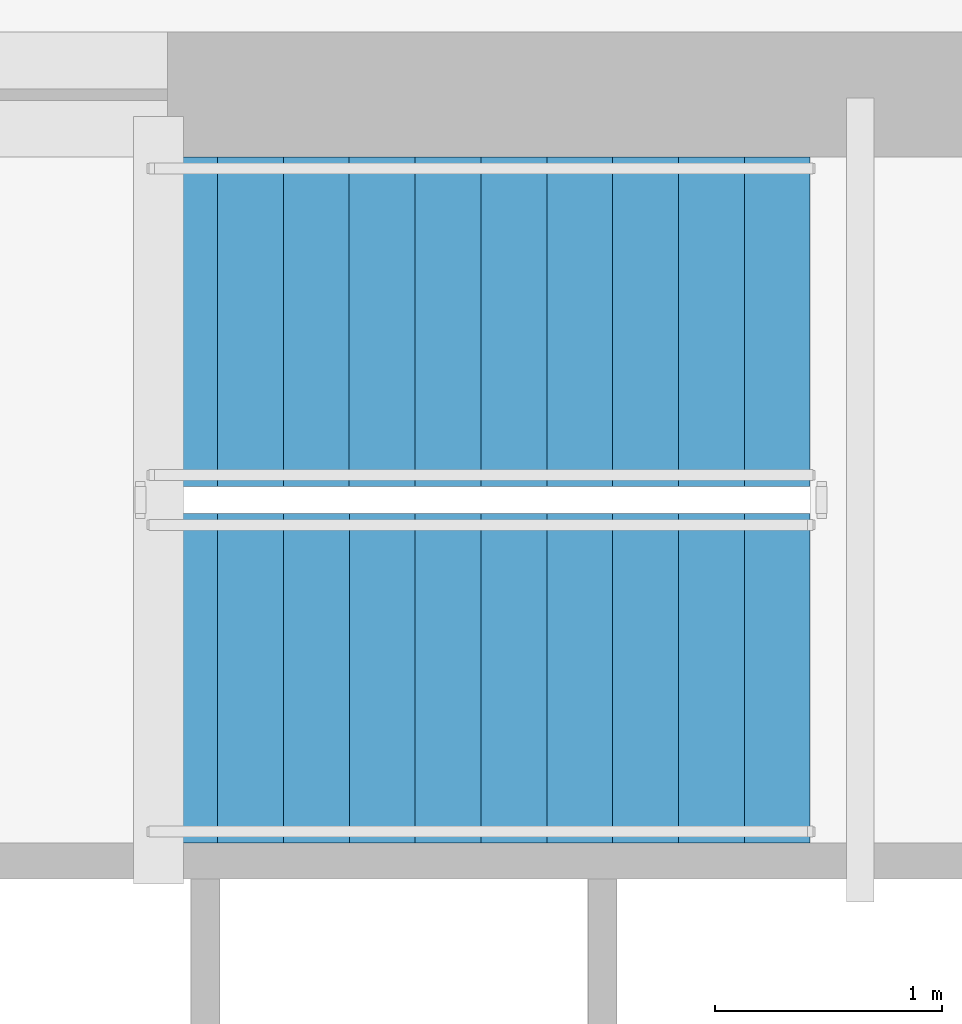
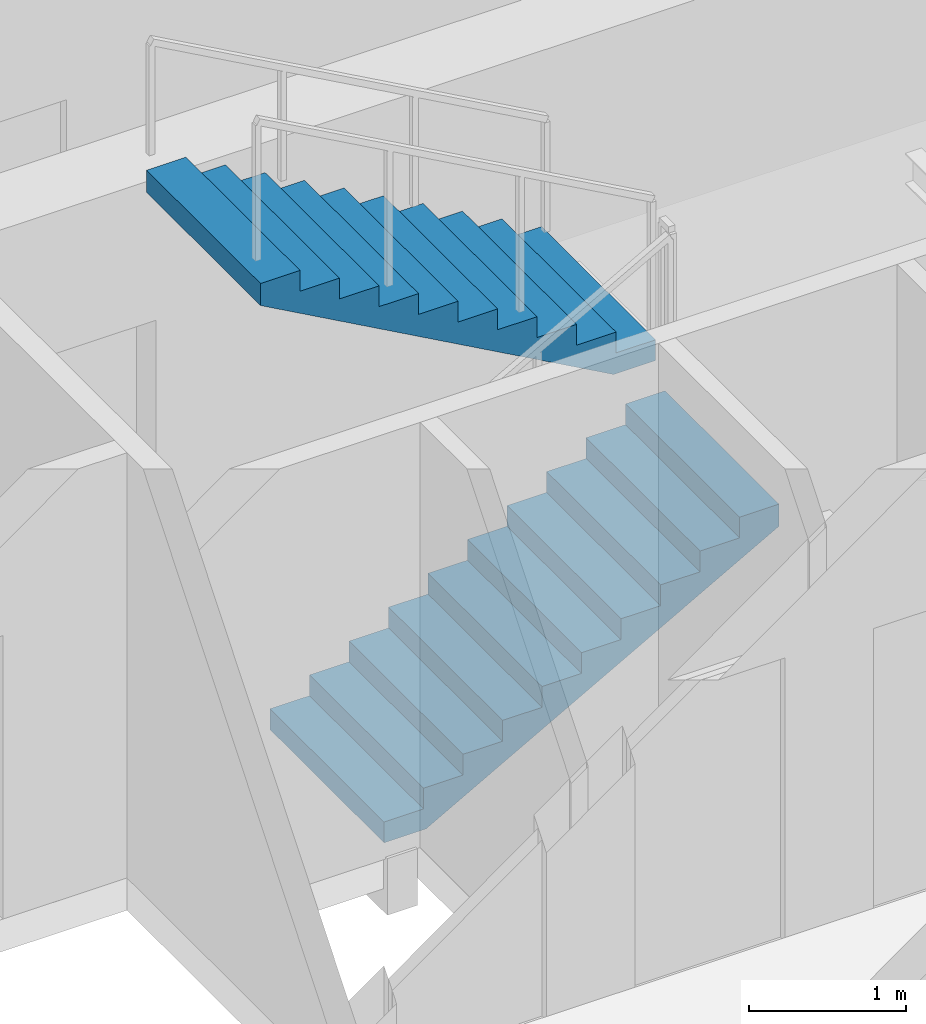
# One storey, part 11 of 15: 2 stair flights, 1 element without a shape of its own.
"""IFC4 building model written with IfcOpenShell, lengths in metres."""

import ifcopenshell
import ifcopenshell.guid

model = None  # the IFC model being written
_history = None  # IfcOwnerHistory: only IFC2X3 demands one
_inside = {}  # id of a spatial element -> (the spatial element, [elements in it])
_under = {}  # id of a project, library or spatial element -> (it, [spatial elements below it])
_declared = {}  # id of a project -> (the project, [libraries it declares])
_typed = {}  # id of a type object -> (the type object, [elements of that type])
_made_of = {}  # id of a material, layer set ... -> (it, [elements and type objects made of it])


def new_model(schema):
    """Start an empty IFC model of exactly this schema.

    Asked for "IFC4X3", IfcOpenShell would pick the latest addendum, in which some entities
    have other attributes; the version numbers below select the first issue.
    IFC2X3 requires an IfcOwnerHistory on every rooted entity: one is made here for all.
    """
    global model, _history
    if schema == "IFC4X3":
        model = ifcopenshell.file(schema_version=(4, 3, 0, 0))
    else:
        model = ifcopenshell.file(schema=schema)
    _inside.clear()
    _under.clear()
    _declared.clear()
    _typed.clear()
    _made_of.clear()
    _history = None
    if model.schema == "IFC2X3":
        org = make("IfcOrganization", Name="unknown")
        user = make(
            "IfcPersonAndOrganization",
            ThePerson=make("IfcPerson", FamilyName="unknown"),
            TheOrganization=org,
        )
        app = make(
            "IfcApplication",
            ApplicationDeveloper=org,
            Version="unknown",
            ApplicationFullName="unknown",
            ApplicationIdentifier="unknown",
        )
        _history = make(
            "IfcOwnerHistory",
            OwningUser=user,
            OwningApplication=app,
            ChangeAction="ADDED",
            CreationDate=0,
        )
    return model


def make(cls, **values):
    """One entity of the class cls with the attributes given. An attribute that is None is left unset."""
    return model.create_entity(
        cls, **{name: value for name, value in values.items() if value is not None}
    )


def rooted(cls, **values):
    """An entity with a GlobalId (a new one), such as an element, a storey or a relation."""
    return make(cls, GlobalId=ifcopenshell.guid.new(), OwnerHistory=_history, **values)


def si_unit(unit_type, name, prefix=None):
    """IfcSIUnit, for example si_unit("LENGTHUNIT", "METRE", prefix="MILLI")."""
    return make("IfcSIUnit", UnitType=unit_type, Prefix=prefix, Name=name)


def assignment(units):
    """IfcUnitAssignment: the units of a project."""
    return None if units is None else make("IfcUnitAssignment", Units=units)


def point(xyz):
    """IfcCartesianPoint."""
    return None if xyz is None else make("IfcCartesianPoint", Coordinates=xyz)


def direction(xyz):
    """IfcDirection."""
    return None if xyz is None else make("IfcDirection", DirectionRatios=xyz)


def frame(location, z_axis=None, x_axis=None):
    """IfcAxis2Placement3D, a coordinate frame: its origin and axes. An axis left out is left unset."""
    return make(
        "IfcAxis2Placement3D",
        Location=point(location),
        Axis=direction(z_axis),
        RefDirection=direction(x_axis),
    )


def origin():
    """The frame at (0, 0, 0) with its axes left unset."""
    return frame((0.0, 0.0, 0.0))


def place(relative_to, where):
    """IfcLocalPlacement: puts the frame where relative to a parent placement (None: the world)."""
    return make(
        "IfcLocalPlacement", PlacementRelTo=relative_to, RelativePlacement=where
    )


def context(
    kind, dimensions, precision=None, world=None, true_north=None, identifier=None
):
    """IfcGeometricRepresentationContext, for example the 3D "Model" context."""
    return make(
        "IfcGeometricRepresentationContext",
        ContextIdentifier=identifier,
        ContextType=kind,
        CoordinateSpaceDimension=dimensions,
        Precision=precision,
        WorldCoordinateSystem=world,
        TrueNorth=true_north,
    )


def subcontext(parent, identifier, kind, view, scale=None):
    """IfcGeometricRepresentationSubContext, for example "Body" below "Model"."""
    return make(
        "IfcGeometricRepresentationSubContext",
        ContextIdentifier=identifier,
        ContextType=kind,
        ParentContext=parent,
        TargetScale=scale,
        TargetView=view,
    )


def project(units=None, contexts=None):
    """IfcProject with its units and contexts."""
    return rooted(
        "IfcProject",
        Name="project",
        RepresentationContexts=contexts,
        UnitsInContext=assignment(units),
    )


def spatial(cls, under=None, at=None, **own):
    """A site, building, storey or space (cls), placed at a placement, below another one or the project."""
    s = rooted(cls, ObjectPlacement=at, **own)
    if under is not None:
        _under.setdefault(under.id(), (under, []))[1].append(s)
    return s


def polyline(points):
    """IfcPolyline through the points."""
    return make("IfcPolyline", Points=[point(p) for p in points])


def outline(outer, holes=None, kind="AREA"):
    """IfcArbitraryClosedProfileDef: a profile drawn as a closed curve; with holes, ...WithVoids."""
    if holes is None:
        return make("IfcArbitraryClosedProfileDef", ProfileType=kind, OuterCurve=outer)
    return make(
        "IfcArbitraryProfileDefWithVoids",
        ProfileType=kind,
        OuterCurve=outer,
        InnerCurves=holes,
    )


def extrude(swept, where, along, depth):
    """IfcExtrudedAreaSolid: the profile swept, set in the frame where, extruded along a direction by depth."""
    return make(
        "IfcExtrudedAreaSolid",
        SweptArea=swept,
        Position=where,
        ExtrudedDirection=direction(along),
        Depth=depth,
    )


def shape(context_of_items, identifier, shape_type, items):
    """IfcShapeRepresentation: the items that make up one representation, for example the "Body"."""
    return make(
        "IfcShapeRepresentation",
        ContextOfItems=context_of_items,
        RepresentationIdentifier=identifier,
        RepresentationType=shape_type,
        Items=items,
    )


def material(Name=None, Category=None):
    """IfcMaterial."""
    return make("IfcMaterial", Name=Name, Category=Category)


def made_of(thing, what):
    """Note that an element or type object is made of a material, layer set ...; save() writes the relation."""
    if what is not None:
        _made_of.setdefault(what.id(), (what, []))[1].append(thing)
    return thing


def type_object(cls, material=None, **own):
    """A type object (cls), such as IfcWallType, which elements share."""
    return made_of(rooted(cls, **own), material)


def element(
    cls,
    number,
    at=None,
    inside=None,
    cuts=None,
    type_object=None,
    material=None,
    context=None,
    identifier="Body",
    shape_type=None,
    held_by="IfcProductDefinitionShape",
    body=None,
    shapes=None,
    **own,
):
    """One element of the class cls, such as IfcWall. Its Tag is "e" and its number.

    at: its placement. inside: the storey or other place that contains it. cuts: it is an
    opening in that element (IfcRelVoidsElement). A single representation is given by context,
    identifier, shape_type and body (its items); several are given by shapes. held_by: the class
    of the entity that holds the representations. save() writes the other relations.
    """
    e = rooted(cls, Tag="e%d" % number, ObjectPlacement=at, **own)
    if body is not None:
        shapes = [shape(context, identifier, shape_type, body)]
    if shapes is not None:
        e.Representation = make(held_by, Representations=shapes)
    if inside is not None:
        _inside.setdefault(inside.id(), (inside, []))[1].append(e)
    if cuts is not None:
        rooted(
            "IfcRelVoidsElement", RelatingBuildingElement=cuts, RelatedOpeningElement=e
        )
    if type_object is not None:
        _typed.setdefault(type_object.id(), (type_object, []))[1].append(e)
    return made_of(e, material)


def aggregate(whole, parts):
    """IfcRelAggregates: a whole, such as a stair, and the parts it consists of."""
    return rooted("IfcRelAggregates", RelatingObject=whole, RelatedObjects=parts)


def save(model, path):
    """Write the relations noted so far, then the file.

    IfcRelAggregates (storeys below a building ...), IfcRelContainedInSpatialStructure (elements
    in a storey), IfcRelDefinesByType, IfcRelAssociatesMaterial and IfcRelDeclares: one each for
    every whole, place, type object, material and project.
    """
    for whole, parts in _under.values():
        aggregate(whole, parts)
    for where, things in _inside.values():
        rooted(
            "IfcRelContainedInSpatialStructure",
            RelatedElements=things,
            RelatingStructure=where,
        )
    for kind, things in _typed.values():
        rooted("IfcRelDefinesByType", RelatedObjects=things, RelatingType=kind)
    for what, things in _made_of.values():
        rooted("IfcRelAssociatesMaterial", RelatedObjects=things, RelatingMaterial=what)
    for by, libraries in _declared.values():
        rooted("IfcRelDeclares", RelatingContext=by, RelatedDefinitions=libraries)
    model.write(path)


model = new_model("IFC4")

# Units and contexts
model_context = context("Model", 3, precision=1e-05, world=origin(), true_north=direction((0.0, 1.0)))
body_context = subcontext(model_context, "Body", "Model", "MODEL_VIEW")
ifc_project = project(units=[si_unit("LENGTHUNIT", "METRE"), si_unit("AREAUNIT", "SQUARE_METRE"), si_unit("VOLUMEUNIT", "CUBIC_METRE"), si_unit("PLANEANGLEUNIT", "RADIAN"), si_unit("MASSUNIT", "GRAM", prefix="KILO")], contexts=[model_context])

# Site, building, storey
site_placement = place(None, origin())
site = spatial("IfcSite", under=ifc_project, at=site_placement, CompositionType="ELEMENT")
building_placement = place(site_placement, origin())
building = spatial("IfcBuilding", under=site, at=building_placement, Name="Olszyna Solenne Hotel", CompositionType="ELEMENT")
storey_placement = place(building_placement, frame((0.0, 0.0, 150.14990234375)))
storey = spatial("IfcBuildingStorey", under=building, at=storey_placement, Name="L39", CompositionType="ELEMENT", Elevation=150.14990234375)

# Stair, stair flights
ifc_material = material(Name="Concrete C40/50", Category="concrete")
stair_type = type_object("IfcStairType", Name="STR-C1", PredefinedType="TWO_QUARTER_WINDING_STAIR", material=ifc_material)
stair_placement = place(storey_placement, origin())
stair = element("IfcStair", 1, at=stair_placement, inside=storey, type_object=stair_type, Name="L39 ST3", PredefinedType="TWO_QUARTER_WINDING_STAIR")
stair_flight_type = type_object("IfcStairFlightType", Name="FLT-C1", PredefinedType="STRAIGHT", material=ifc_material)
stair_flight_1_placement = place(storey_placement, frame((34.72998046875, 31.405029296875, 0.0), z_axis=(0.0, 0.0, 1.0), x_axis=(1.0, 0.0, 0.0)))
stair_flight_1 = element("IfcStairFlight", 2, at=stair_flight_1_placement, type_object=stair_flight_type, Name="ST3 flight 1", NumberOfRisers=11, NumberOfTreads=10, PredefinedType="STRAIGHT", RiserHeight=0.161363636, TreadLength=0.29, context=body_context, shape_type="SweptSolid", body=[
    extrude(outline(polyline([(0.0, 0.0), (0.0, 0.161376953125), (0.2900390625, 0.161376953125), (0.2900390625, 0.32275390625), (0.580078125, 0.32275390625), (0.580078125, 0.484130859375), (0.8701171875, 0.484130859375), (0.8701171875, 0.6455078125), (1.159912109375, 0.6455078125), (1.159912109375, 0.806884765625), (1.449951171875, 0.806884765625), (1.449951171875, 0.96826171875), (1.739990234375, 0.96826171875), (1.739990234375, 1.129638671875), (2.030029296875, 1.129638671875), (2.030029296875, 1.291015625), (2.320068359375, 1.291015625), (2.320068359375, 1.452392578125), (2.610107421875, 1.452392578125), (2.610107421875, 1.613525390625), (2.89990234375, 1.613525390625), (2.89990234375, 1.77490234375), (2.89990234375, 1.442138671875), (0.308349609375, 0.0), (0.0, 0.0)])), frame((0.0, 0.72509765625, 0.0), z_axis=(0.0, -1.0, 0.0), x_axis=(1.0, 0.0, 0.0)), (0.0, 0.0, 1.0), 1.449951171875),
])
stair_flight_2_placement = place(storey_placement, frame((37.6298828125, 32.97509765625, 1.775146484375), z_axis=(0.0, 0.0, 1.0), x_axis=(-1.0, 0.0, 0.0)))
stair_flight_2 = element("IfcStairFlight", 3, at=stair_flight_2_placement, type_object=stair_flight_type, Name="ST3 flight 2", NumberOfRisers=11, NumberOfTreads=10, PredefinedType="STRAIGHT", RiserHeight=0.161363636, TreadLength=0.29, context=body_context, shape_type="SweptSolid", body=[
    extrude(outline(polyline([(0.0, 0.0), (0.0, 0.161376953125), (0.2900390625, 0.161376953125), (0.2900390625, 0.32275390625), (0.580078125, 0.32275390625), (0.580078125, 0.484130859375), (0.8701171875, 0.484130859375), (0.8701171875, 0.6455078125), (1.159912109375, 0.6455078125), (1.159912109375, 0.806884765625), (1.449951171875, 0.806884765625), (1.449951171875, 0.96826171875), (1.739990234375, 0.96826171875), (1.739990234375, 1.129638671875), (2.030029296875, 1.129638671875), (2.030029296875, 1.291015625), (2.320068359375, 1.291015625), (2.320068359375, 1.452392578125), (2.610107421875, 1.452392578125), (2.610107421875, 1.613525390625), (2.89990234375, 1.613525390625), (2.89990234375, 1.77490234375), (2.89990234375, 1.442138671875), (0.308349609375, 0.0), (0.0, 0.0)])), frame((0.0, 0.72509765625, 0.0), z_axis=(0.0, -1.0, 0.0), x_axis=(1.0, 0.0, 0.0)), (0.0, 0.0, 1.0), 1.449951171875),
])
aggregate(stair, [stair_flight_1, stair_flight_2])

save(model, "model.ifc")
